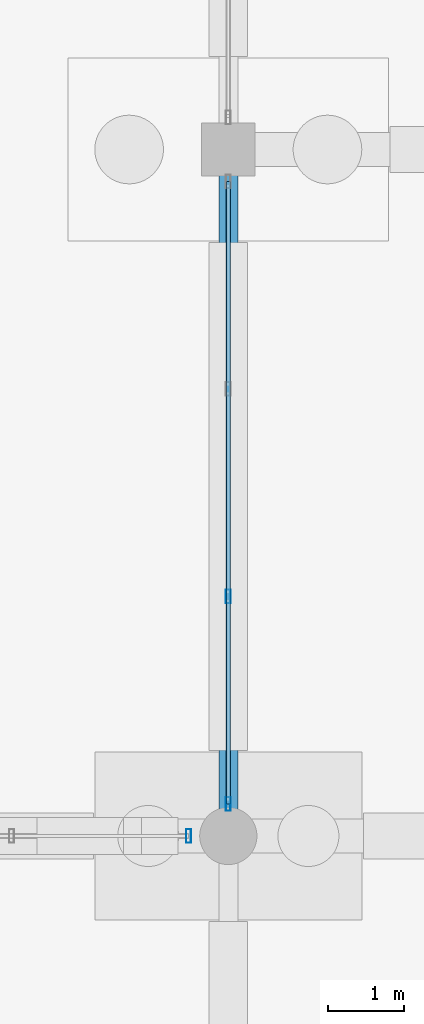
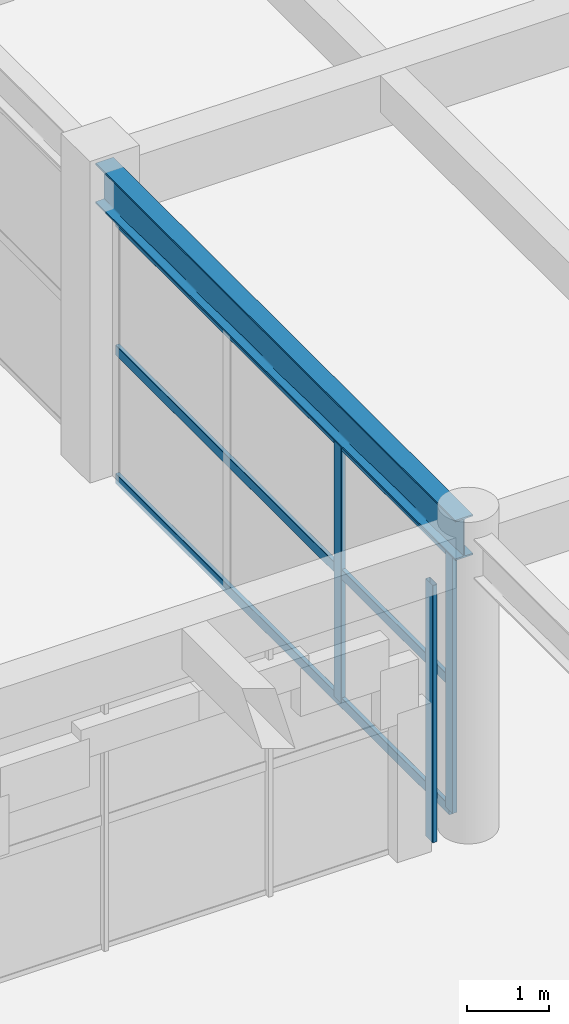
# One storey, part 62 of 147: 6 members, 1 beam, 2 elements without a shape of their own.
"""IFC4 building model written with IfcOpenShell, lengths in metres."""

from ifc_helpers import new_model, si_unit, direction, frame, origin, origin_2d, place, context, subcontext, project, spatial, hollow_rectangle, i_section, extrude, material, material_profile, profile_set, type_object, element, aggregate, save


model = new_model("IFC4")

# Units and contexts
model_context = context("Model", 3, precision=1e-05, world=origin(), true_north=direction((0.0, 1.0)))
body_context = subcontext(model_context, "Body", "Model", "MODEL_VIEW")
ifc_project = project(units=[si_unit("LENGTHUNIT", "METRE"), si_unit("AREAUNIT", "SQUARE_METRE"), si_unit("VOLUMEUNIT", "CUBIC_METRE"), si_unit("PLANEANGLEUNIT", "RADIAN"), si_unit("MASSUNIT", "GRAM", prefix="KILO")], contexts=[model_context])

# Site, building, storey
site_placement = place(None, origin())
site = spatial("IfcSite", under=ifc_project, at=site_placement, CompositionType="ELEMENT")
building_placement = place(site_placement, origin())
building = spatial("IfcBuilding", under=site, at=building_placement, Name="Varnabhumi Central Station", CompositionType="ELEMENT")
storey_placement = place(building_placement, origin())
storey = spatial("IfcBuildingStorey", under=building, at=storey_placement, Name="L00", CompositionType="ELEMENT", Elevation=0.0)

# Beam
ifc_material_1 = material(Name="Structural steel E350", Category="steel")
ifc_material_profile_1 = material_profile(ifc_material_1, i_section(OverallWidth=0.25, OverallDepth=0.60009765625, WebThickness=0.01171875, FlangeThickness=0.023681640625, FilletRadius=0.01708984375, at=origin_2d()), Name="Structural steel E350", Category="steel")
ifc_profile_set_1 = profile_set([ifc_material_profile_1], Name="Structural steel E350")
beam_type = type_object("IfcBeamType", Name="BM-SEC-ISWB600", PredefinedType="BEAM", material=ifc_profile_set_1)
beam_placement = place(storey_placement, frame((80.0, 89.10009765625, 4.25), z_axis=(0.0, 1.0, 0.0), x_axis=(-1.0, 0.0, 0.0)))
element("IfcBeam", 1, at=beam_placement, inside=storey, type_object=beam_type, Name="Beam L00-11:L-M", PredefinedType="BEAM", context=body_context, shape_type="SweptSolid", body=[
    extrude(i_section(OverallWidth=0.25, OverallDepth=0.60009765625, WebThickness=0.01171875, FlangeThickness=0.023681640625, FilletRadius=0.01708984375, at=origin_2d()), origin(), (0.0, 0.0, 1.0), 8.7998046875),
])

# Curtain wall, members
ifc_material_2 = material(Name="Anodised aluminium 6063-T6", Category="aluminium")
curtain_wall_type = type_object("IfcCurtainWallType", Name="CW-PATIO-LOGGIA-L0", PredefinedType="NOTDEFINED", material=ifc_material_2)
curtain_wall_1_placement = place(storey_placement, origin())
curtain_wall_1 = element("IfcCurtainWall", 2, at=curtain_wall_1_placement, inside=storey, type_object=curtain_wall_type, Name="Curtain Wall CW-NP0W1", PredefinedType="NOTDEFINED")
ifc_material_profile_2 = material_profile(ifc_material_2, hollow_rectangle(XDim=0.06494140625, YDim=0.179931640625, WallThickness=0.00390625, InnerFilletRadius=0.001953125, OuterFilletRadius=0.006103515625, at=origin_2d()), Name="Anodised aluminium 6063-T6", Category="aluminium")
ifc_profile_set_2 = profile_set([ifc_material_profile_2], Name="Anodised aluminium 6063-T6")
member_type_1 = type_object("IfcMemberType", Name="CW-MUL-180", PredefinedType="MULLION", material=ifc_profile_set_2)
member_1_placement = place(storey_placement, frame((80.0, 89.419921875, 0.0), z_axis=(0.0, 0.0, 1.0), x_axis=(1.0, 0.0, 0.0)))
member_1 = element("IfcMember", 3, at=member_1_placement, type_object=member_type_1, Name="Curtain Wall Mullion CW-NP0W1-M1", PredefinedType="MULLION", context=body_context, shape_type="SweptSolid", body=[
    extrude(hollow_rectangle(XDim=0.06494140625, YDim=0.179931640625, WallThickness=0.00390625, InnerFilletRadius=0.001953125, OuterFilletRadius=0.006103515625, at=origin_2d()), origin(), (0.0, 0.0, 1.0), 3.840087890625),
])
member_2_placement = place(storey_placement, frame((80.0, 92.139892578125, 0.0), z_axis=(0.0, 0.0, 1.0), x_axis=(1.0, 0.0, 0.0)))
member_2 = element("IfcMember", 4, at=member_2_placement, type_object=member_type_1, Name="Curtain Wall Mullion CW-NP0W1-M2", PredefinedType="MULLION", context=body_context, shape_type="SweptSolid", body=[
    extrude(hollow_rectangle(XDim=0.06494140625, YDim=0.179931640625, WallThickness=0.00390625, InnerFilletRadius=0.001953125, OuterFilletRadius=0.006103515625, at=origin_2d()), origin(), (0.0, 0.0, 1.0), 3.840087890625),
])

# Curtain wall, member
curtain_wall_2_placement = place(storey_placement, origin())
curtain_wall_2 = element("IfcCurtainWall", 5, at=curtain_wall_2_placement, inside=storey, type_object=curtain_wall_type, Name="Curtain Wall CW-NP0S4", PredefinedType="NOTDEFINED")
member_3_placement = place(storey_placement, frame((79.47998046875, 89.0, 0.0), z_axis=(0.0, 0.0, 1.0), x_axis=(1.0, 0.0, 0.0)))
member_3 = element("IfcMember", 6, at=member_3_placement, type_object=member_type_1, Name="Curtain Wall Mullion CW-NP0S4-M4", PredefinedType="MULLION", context=body_context, shape_type="SweptSolid", body=[
    extrude(hollow_rectangle(XDim=0.06494140625, YDim=0.179931640625, WallThickness=0.00390625, InnerFilletRadius=0.001953125, OuterFilletRadius=0.006103515625, at=origin_2d()), origin(), (0.0, 0.0, 1.0), 3.840087890625),
])
aggregate(curtain_wall_2, [member_3])

# Member
ifc_material_profile_3 = material_profile(ifc_material_2, hollow_rectangle(XDim=0.06005859375, YDim=0.14990234375, WallThickness=0.00390625, InnerFilletRadius=0.001953125, OuterFilletRadius=0.006103515625, at=origin_2d()), Name="Anodised aluminium 6063-T6", Category="aluminium")
ifc_profile_set_3 = profile_set([ifc_material_profile_3], Name="Anodised aluminium 6063-T6")
member_type_2 = type_object("IfcMemberType", Name="CW-TR-150", PredefinedType="USERDEFINED", material=ifc_profile_set_3)
member_4_placement = place(storey_placement, frame((80.0, 89.419921875, 0.0), z_axis=(0.0, 1.0, 0.0), x_axis=(-1.0, 0.0, 0.0)))
member_4 = element("IfcMember", 7, at=member_4_placement, type_object=member_type_2, Name="Curtain Wall Transom CW-NP0W1-T1", ObjectType="TRANSOM", PredefinedType="USERDEFINED", context=body_context, shape_type="SweptSolid", body=[
    extrude(hollow_rectangle(XDim=0.06005859375, YDim=0.14990234375, WallThickness=0.00390625, InnerFilletRadius=0.001953125, OuterFilletRadius=0.006103515625, at=origin_2d()), origin(), (0.0, 0.0, 1.0), 8.16015625),
])

member_5_placement = place(storey_placement, frame((80.0, 89.419921875, 1.919921875), z_axis=(0.0, 1.0, 0.0), x_axis=(-1.0, 0.0, 0.0)))
member_5 = element("IfcMember", 8, at=member_5_placement, type_object=member_type_2, Name="Curtain Wall Transom CW-NP0W1-T2", ObjectType="TRANSOM", PredefinedType="USERDEFINED", context=body_context, shape_type="SweptSolid", body=[
    extrude(hollow_rectangle(XDim=0.06005859375, YDim=0.14990234375, WallThickness=0.00390625, InnerFilletRadius=0.001953125, OuterFilletRadius=0.006103515625, at=origin_2d()), origin(), (0.0, 0.0, 1.0), 8.16015625),
])

member_6_placement = place(storey_placement, frame((80.0, 89.419921875, 3.840087890625), z_axis=(0.0, 1.0, 0.0), x_axis=(-1.0, 0.0, 0.0)))
member_6 = element("IfcMember", 9, at=member_6_placement, type_object=member_type_2, Name="Curtain Wall Transom CW-NP0W1-T3", ObjectType="TRANSOM", PredefinedType="USERDEFINED", context=body_context, shape_type="SweptSolid", body=[
    extrude(hollow_rectangle(XDim=0.06005859375, YDim=0.14990234375, WallThickness=0.00390625, InnerFilletRadius=0.001953125, OuterFilletRadius=0.006103515625, at=origin_2d()), origin(), (0.0, 0.0, 1.0), 8.16015625),
])

aggregate(curtain_wall_1, [member_1, member_2, member_4, member_5, member_6])

save(model, "model.ifc")
